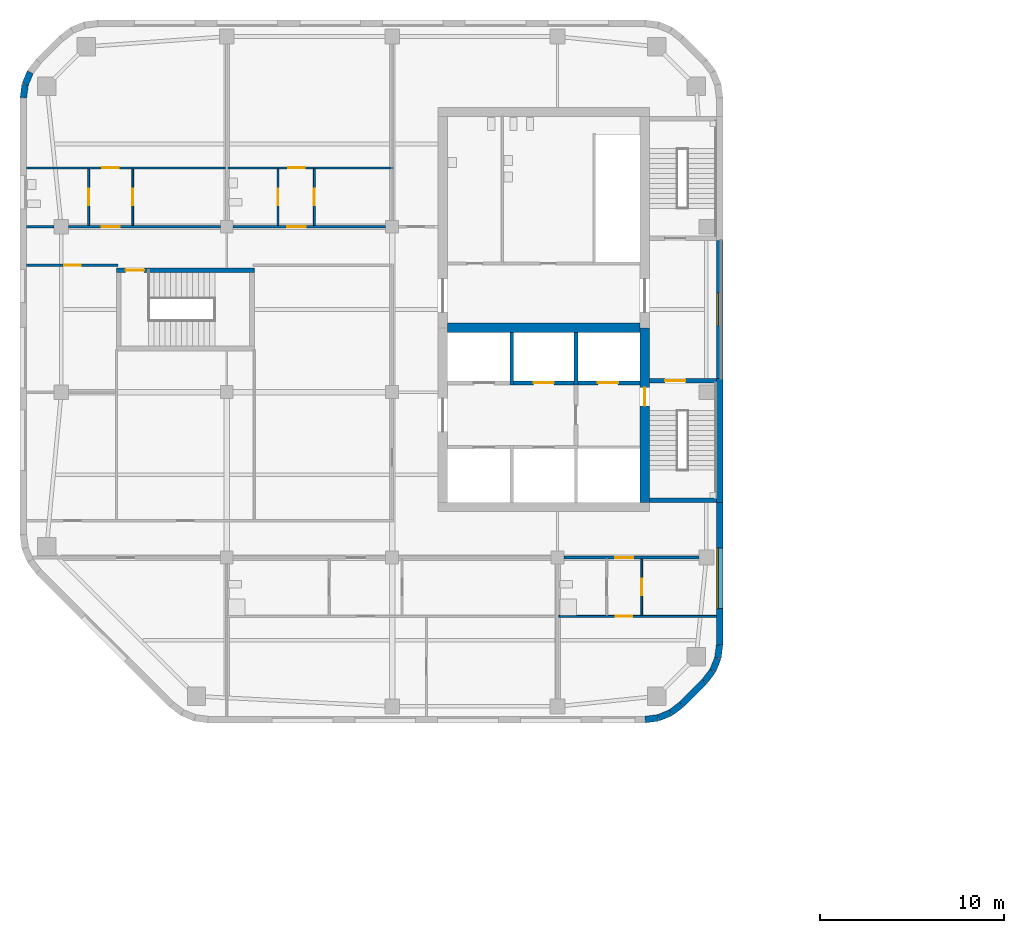
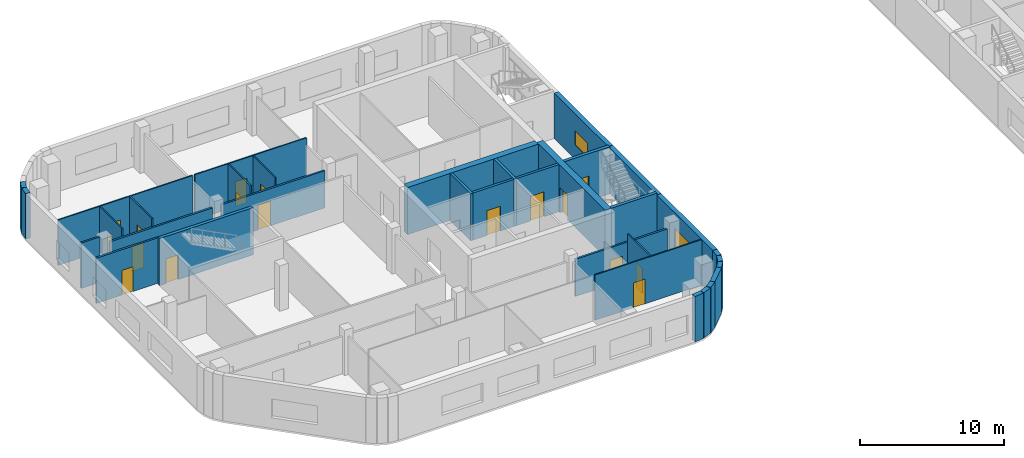
# One storey, part 6 of 15: 34 walls, 17 doors, 2 windows, 19 openings.
"""IFC4 building model written with IfcOpenShell, lengths in metres."""

from ifc_helpers import new_model, si_unit, direction, frame, frame_2d, origin, place, context, subcontext, project, spatial, rectangle, extrude, material, layer, layer_set, type_object, element, fill, save


model = new_model("IFC4")

# Units and contexts
model_context = context("Model", 3, precision=1e-05, world=origin(), true_north=direction((0.0, 1.0)))
body_context = subcontext(model_context, "Body", "Model", "MODEL_VIEW")
ifc_project = project(units=[si_unit("LENGTHUNIT", "METRE"), si_unit("AREAUNIT", "SQUARE_METRE"), si_unit("VOLUMEUNIT", "CUBIC_METRE"), si_unit("PLANEANGLEUNIT", "RADIAN"), si_unit("MASSUNIT", "GRAM", prefix="KILO")], contexts=[model_context])

# Site, building, storey
site_placement = place(None, origin())
site = spatial("IfcSite", under=ifc_project, at=site_placement, CompositionType="ELEMENT")
building_placement = place(site_placement, origin())
building = spatial("IfcBuilding", under=site, at=building_placement, Name="Cinnabar Reach Civic Tower", CompositionType="ELEMENT")
storey_placement = place(building_placement, frame((0.0, 0.0, 59.0)))
storey = spatial("IfcBuildingStorey", under=building, at=storey_placement, Name="L13", CompositionType="ELEMENT", Elevation=59.0)

# Walls
ifc_material_1 = material(Name="Facing brick with insulated backing", Category="masonry")
ifc_layer_1 = layer(ifc_material_1, 0.36)
ifc_layer_set_1 = layer_set([ifc_layer_1], Name="Brick corner wall")
wall_type_1 = type_object("IfcWallType", Name="Brick corner wall", PredefinedType="STANDARD", material=ifc_layer_set_1)
for number, where, z_axis, x_axis, name in (
    (1, (-31.2314, 9.183, 0.0), (0.0, 0.0, 1.0), (0.99144092581, 0.13055608231, 0.0), "Brick corner wall"),
    (2, (-30.5027, 9.2819, 0.0), (0.0, 0.0, 1.0), (0.923871547278, 0.382702709855, 0.0), "Brick corner wall"),
):
    element("IfcWall", number, at=place(storey_placement, frame(where, z_axis=z_axis, x_axis=x_axis)), inside=storey, type_object=wall_type_1, Name=name, PredefinedType="STANDARD", context=body_context, shape_type="SweptSolid", body=[
        extrude(rectangle(XDim=0.7131, YDim=0.36, at=frame_2d((0.3565, 0.0))), origin(), (0.0, 0.0, 1.0), 3.85),
    ])
for number, where, z_axis, x_axis, name in (
    (3, (-29.8245, 9.566, 0.0), (0.0, 0.0, 1.0), (0.793321924995, 0.608802368033, 0.0), "Brick corner wall"),
    (4, (-28.0002, 11.2587, 0.0), (0.0, 0.0, 1.0), (0.608802368033, 0.793321924995, 0.0), "Brick corner wall"),
):
    element("IfcWall", number, at=place(storey_placement, frame(where, z_axis=z_axis, x_axis=x_axis)), inside=storey, type_object=wall_type_1, Name=name, PredefinedType="STANDARD", context=body_context, shape_type="SweptSolid", body=[
        extrude(rectangle(XDim=0.7132, YDim=0.36, at=frame_2d((0.3566, 0.0))), origin(), (0.0, 0.0, 1.0), 3.85),
    ])
for number, where, z_axis, x_axis, name in (
    (5, (-27.5548, 11.8439, 0.0), (0.0, 0.0, 1.0), (0.382702709855, 0.923871547278, 0.0), "Brick corner wall"),
    (6, (-27.2761, 12.5244, 0.0), (0.0, 0.0, 1.0), (0.13055608231, 0.99144092581, 0.0), "Brick corner wall"),
    (7, (-64.6952, 44.4061, 0.0), (0.0, 0.0, 1.0), (-0.382702709855, -0.923871547278, 0.0), "Brick corner wall"),
    (8, (-64.9739, 43.7256, 0.0), (0.0, 0.0, 1.0), (-0.13055608231, -0.99144092581, 0.0), "Brick corner wall"),
):
    element("IfcWall", number, at=place(storey_placement, frame(where, z_axis=z_axis, x_axis=x_axis)), inside=storey, type_object=wall_type_1, Name=name, PredefinedType="STANDARD", context=body_context, shape_type="SweptSolid", body=[
        extrude(rectangle(XDim=0.7131, YDim=0.36, at=frame_2d((0.3565, 0.0))), origin(), (0.0, 0.0, 1.0), 3.85),
    ])
ifc_layer_2 = layer(ifc_material_1, 0.36)
ifc_layer_set_2 = layer_set([ifc_layer_2], Name="Brick pier and spandrel wall")
wall_type_2 = type_object("IfcWallType", Name="Brick pier and spandrel wall", PredefinedType="STANDARD", material=ifc_layer_set_2)
wall_1_placement = place(storey_placement, frame((-29.2486, 10.006, 0.0), z_axis=(0.0, 0.0, 1.0), x_axis=(0.707106781187, 0.707106781187, 0.0)))
element("IfcWall", 9, at=wall_1_placement, inside=storey, type_object=wall_type_2, Name="Brick facade wall", PredefinedType="STANDARD", context=body_context, shape_type="SweptSolid", body=[
    extrude(rectangle(XDim=1.7573, YDim=0.36, at=frame_2d((0.8787, 0.0))), origin(), (0.0, 0.0, 1.0), 3.85),
])

# Wall, opening, window
wall_2_placement = place(storey_placement, frame((-27.18, 13.2426, 0.0), z_axis=(0.0, 0.0, 1.0), x_axis=(0.0, 1.0, 0.0)))
wall_2 = element("IfcWall", 10, at=wall_2_placement, inside=storey, type_object=wall_type_2, Name="Brick facade wall", PredefinedType="STANDARD", context=body_context, shape_type="SweptSolid", body=[
    extrude(rectangle(XDim=7.7574, YDim=0.36, at=frame_2d((3.8787, 0.0))), origin(), (0.0, 0.0, 1.0), 3.85),
])
opening_1_placement = place(wall_2_placement, frame((1.9824, 0.0, 0.9)))
opening_1 = element("IfcOpeningElement", 11, at=opening_1_placement, cuts=wall_2, Name="Opening W2520", PredefinedType="OPENING", context=body_context, shape_type="SweptSolid", body=[
    extrude(rectangle(XDim=3.3, YDim=1.6, at=frame_2d((1.65, 0.8))), frame((0.0, 0.19, 0.0), z_axis=(0.0, -1.0, 0.0), x_axis=(1.0, 0.0, 0.0)), (0.0, 0.0, 1.0), 0.38),
])
ifc_material_2 = material(Name="Clear double glazing in aluminium frame", Category="aluminium")
window_type_1 = type_object("IfcWindowType", Name="Deep-set window A", PartitioningType="SINGLE_PANEL", PredefinedType="WINDOW", material=ifc_material_2)
window_1_placement = place(opening_1_placement, origin())
window_1 = element("IfcWindow", 12, at=window_1_placement, inside=storey, type_object=window_type_1, Name="Window east face", OverallHeight=1.6, OverallWidth=3.3, PartitioningType="SINGLE_PANEL", PredefinedType="WINDOW", context=body_context, shape_type="SweptSolid", body=[
    extrude(rectangle(XDim=3.3, YDim=1.6, at=frame_2d((1.65, 0.8))), frame((0.0, 0.13, 0.0), z_axis=(0.0, -1.0, 0.0), x_axis=(1.0, 0.0, 0.0)), (0.0, 0.0, 1.0), 0.06),
])
fill(opening_1, window_1)

# Wall
wall_3_placement = place(storey_placement, frame((-27.18, 21.0, 0.0), z_axis=(0.0, 0.0, 1.0), x_axis=(0.0, 1.0, 0.0)))
element("IfcWall", 13, at=wall_3_placement, inside=storey, type_object=wall_type_2, Name="Brick facade wall", PredefinedType="STANDARD", context=body_context, shape_type="SweptSolid", body=[
    extrude(rectangle(XDim=6.75, YDim=0.36, at=frame_2d((3.375, 0.0))), origin(), (0.0, 0.0, 1.0), 3.85),
])

# Wall, opening, window
wall_4_placement = place(storey_placement, frame((-27.18, 27.75, 0.0), z_axis=(0.0, 0.0, 1.0), x_axis=(0.0, 1.0, 0.0)))
wall_4 = element("IfcWall", 14, at=wall_4_placement, inside=storey, type_object=wall_type_2, Name="Brick facade wall", PredefinedType="STANDARD", context=body_context, shape_type="SweptSolid", body=[
    extrude(rectangle(XDim=7.5, YDim=0.36, at=frame_2d((3.75, 0.0))), origin(), (0.0, 0.0, 1.0), 3.85),
])
opening_2_placement = place(wall_4_placement, frame((2.85, 0.0, 1.2)))
opening_2 = element("IfcOpeningElement", 15, at=opening_2_placement, cuts=wall_4, Name="Opening W2521", PredefinedType="OPENING", context=body_context, shape_type="SweptSolid", body=[
    extrude(rectangle(XDim=1.8, YDim=1.2, at=frame_2d((0.9, 0.6))), frame((0.0, 0.19, 0.0), z_axis=(0.0, -1.0, 0.0), x_axis=(1.0, 0.0, 0.0)), (0.0, 0.0, 1.0), 0.38),
])
window_type_2 = type_object("IfcWindowType", Name="Deep-set window C", PartitioningType="SINGLE_PANEL", PredefinedType="WINDOW", material=ifc_material_2)
window_2_placement = place(opening_2_placement, origin())
window_2 = element("IfcWindow", 16, at=window_2_placement, inside=storey, type_object=window_type_2, Name="Window east face", OverallHeight=1.2, OverallWidth=1.8, PartitioningType="SINGLE_PANEL", PredefinedType="WINDOW", context=body_context, shape_type="SweptSolid", body=[
    extrude(rectangle(XDim=1.8, YDim=1.2, at=frame_2d((0.9, 0.6))), frame((0.0, 0.13, 0.0), z_axis=(0.0, -1.0, 0.0), x_axis=(1.0, 0.0, 0.0)), (0.0, 0.0, 1.0), 0.06),
])
fill(opening_2, window_2)

# Wall, opening, door
ifc_material_3 = material(Name="Concrete C60", Category="concrete")
ifc_layer_3 = layer(ifc_material_3, 0.5)
ifc_layer_set_3 = layer_set([ifc_layer_3], Name="Core wall 500 EI 180")
wall_type_3 = type_object("IfcWallType", Name="Core wall 500 EI 180", PredefinedType="SOLIDWALL", material=ifc_layer_set_3)
wall_5_placement = place(storey_placement, frame((-31.25, 21.0, 0.0), z_axis=(0.0, 0.0, 1.0), x_axis=(0.0, 1.0, 0.0)))
wall_5 = element("IfcWall", 17, at=wall_5_placement, inside=storey, type_object=wall_type_3, Name="Core wall T2 L13 E", PredefinedType="SOLIDWALL", context=body_context, shape_type="SweptSolid", body=[
    extrude(rectangle(XDim=9.5, YDim=0.5, at=frame_2d((4.75, 0.0))), origin(), (0.0, 0.0, 1.0), 4.0),
])
opening_3_placement = place(wall_5_placement, frame((5.25, 0.0, 0.0)))
opening_3 = element("IfcOpeningElement", 18, at=opening_3_placement, cuts=wall_5, Name="Opening D6490", PredefinedType="OPENING", context=body_context, shape_type="SweptSolid", body=[
    extrude(rectangle(XDim=1.0, YDim=2.1, at=frame_2d((0.5, 1.05))), frame((0.0, 0.26, 0.0), z_axis=(0.0, -1.0, 0.0), x_axis=(1.0, 0.0, 0.0)), (0.0, 0.0, 1.0), 0.52),
])
ifc_material_4 = material(Name="Steel fire door", Category="steel")
door_type_1 = type_object("IfcDoorType", Name="T2 Firefighting lobby door 1000", OperationType="SINGLE_SWING_LEFT", PredefinedType="DOOR", material=ifc_material_4)
door_1_placement = place(opening_3_placement, frame((1.0, 0.0, 0.0), z_axis=(0.0, 0.0, 1.0), x_axis=(-1.0, 0.0, 0.0)))
door_1 = element("IfcDoor", 19, at=door_1_placement, inside=storey, type_object=door_type_1, Name="T2 Firefighting lobby door D6490", OperationType="SINGLE_SWING_LEFT", OverallHeight=2.1, OverallWidth=1.0, PredefinedType="DOOR", context=body_context, shape_type="SweptSolid", body=[
    extrude(rectangle(XDim=1.0, YDim=2.1, at=frame_2d((0.5, 1.05))), frame((0.0, 0.025, 0.0), z_axis=(0.0, -1.0, 0.0), x_axis=(1.0, 0.0, 0.0)), (0.0, 0.0, 1.0), 0.05),
])
fill(opening_3, door_1)

# Wall
wall_6_placement = place(storey_placement, frame((-42.0, 30.5, 0.0), z_axis=(0.0, 0.0, 1.0), x_axis=(1.0, 0.0, 0.0)))
element("IfcWall", 20, at=wall_6_placement, inside=storey, type_object=wall_type_3, Name="Core spine wall T2 L13", PredefinedType="SOLIDWALL", context=body_context, shape_type="SweptSolid", body=[
    extrude(rectangle(XDim=10.5, YDim=0.5, at=frame_2d((5.25, 0.0))), origin(), (0.0, 0.0, 1.0), 4.0),
])

# Wall, opening, door
ifc_material_5 = material(Name="Gypsum board on steel studs, double layer", Category="steel")
ifc_layer_4 = layer(ifc_material_5, 0.15)
ifc_layer_set_4 = layer_set([ifc_layer_4], Name="Corridor wall 150 T2")
wall_type_4 = type_object("IfcWallType", Name="Corridor wall 150 T2", PredefinedType="PARTITIONING", material=ifc_layer_set_4)
wall_7_placement = place(storey_placement, frame((-35.65, 18.0, 0.0), z_axis=(0.0, 0.0, 1.0), x_axis=(1.0, 0.0, 0.0)))
wall_7 = element("IfcWall", 21, at=wall_7_placement, inside=storey, type_object=wall_type_4, Name="Corridor wall 1", PredefinedType="PARTITIONING", context=body_context, shape_type="SweptSolid", body=[
    extrude(rectangle(XDim=7.35, YDim=0.15, at=frame_2d((3.675, 0.0))), origin(), (0.0, 0.0, 1.0), 3.158),
])
opening_4_placement = place(wall_7_placement, frame((2.7784, 0.0, 0.0)))
opening_4 = element("IfcOpeningElement", 22, at=opening_4_placement, cuts=wall_7, Name="Opening D6508", PredefinedType="OPENING", context=body_context, shape_type="SweptSolid", body=[
    extrude(rectangle(XDim=1.0, YDim=2.1, at=frame_2d((0.5, 1.05))), frame((0.0, 0.085, 0.0), z_axis=(0.0, -1.0, 0.0), x_axis=(1.0, 0.0, 0.0)), (0.0, 0.0, 1.0), 0.17),
])
ifc_material_6 = material(Name="Timber door leaf in steel frame", Category="steel")
door_type_2 = type_object("IfcDoorType", Name="Tenancy entrance door 1000 x 2100 T2", OperationType="SINGLE_SWING_LEFT", PredefinedType="DOOR", material=ifc_material_6)
door_2_placement = place(opening_4_placement, frame((1.0, 0.0, 0.0), z_axis=(0.0, 0.0, 1.0), x_axis=(-1.0, 0.0, 0.0)))
door_2 = element("IfcDoor", 23, at=door_2_placement, inside=storey, type_object=door_type_2, Name="Door D6508", OperationType="SINGLE_SWING_RIGHT", OverallHeight=2.1, OverallWidth=1.0, PredefinedType="DOOR", context=body_context, shape_type="SweptSolid", body=[
    extrude(rectangle(XDim=1.0, YDim=2.1, at=frame_2d((0.5, 1.05))), frame((0.0, 0.025, 0.0), z_axis=(0.0, -1.0, 0.0), x_axis=(1.0, 0.0, 0.0)), (0.0, 0.0, 1.0), 0.05),
])
fill(opening_4, door_2)

wall_8_placement = place(storey_placement, frame((-53.65, 36.0, 0.0), z_axis=(0.0, 0.0, 1.0), x_axis=(1.0, 0.0, 0.0)))
wall_8 = element("IfcWall", 24, at=wall_8_placement, inside=storey, type_object=wall_type_4, Name="Corridor wall 6", PredefinedType="PARTITIONING", context=body_context, shape_type="SweptSolid", body=[
    extrude(rectangle(XDim=8.3, YDim=0.15, at=frame_2d((4.15, 0.0))), origin(), (0.0, 0.0, 1.0), 3.158),
])
opening_5_placement = place(wall_8_placement, frame((2.94, 0.0, 0.0)))
opening_5 = element("IfcOpeningElement", 25, at=opening_5_placement, cuts=wall_8, Name="Opening D6516", PredefinedType="OPENING", context=body_context, shape_type="SweptSolid", body=[
    extrude(rectangle(XDim=1.0, YDim=2.1, at=frame_2d((0.5, 1.05))), frame((0.0, 0.085, 0.0), z_axis=(0.0, -1.0, 0.0), x_axis=(1.0, 0.0, 0.0)), (0.0, 0.0, 1.0), 0.17),
])
door_3_placement = place(opening_5_placement, origin())
door_3 = element("IfcDoor", 26, at=door_3_placement, inside=storey, type_object=door_type_2, Name="Door D6516", OperationType="SINGLE_SWING_LEFT", OverallHeight=2.1, OverallWidth=1.0, PredefinedType="DOOR", context=body_context, shape_type="SweptSolid", body=[
    extrude(rectangle(XDim=1.0, YDim=2.1, at=frame_2d((0.5, 1.05))), frame((0.0, 0.025, 0.0), z_axis=(0.0, -1.0, 0.0), x_axis=(1.0, 0.0, 0.0)), (0.0, 0.0, 1.0), 0.05),
])
fill(opening_5, door_3)

wall_9_placement = place(storey_placement, frame((-62.6, 36.0, 0.0), z_axis=(0.0, 0.0, 1.0), x_axis=(1.0, 0.0, 0.0)))
wall_9 = element("IfcWall", 27, at=wall_9_placement, inside=storey, type_object=wall_type_4, Name="Corridor wall 7", PredefinedType="PARTITIONING", context=body_context, shape_type="SweptSolid", body=[
    extrude(rectangle(XDim=8.25, YDim=0.15, at=frame_2d((4.125, 0.0))), origin(), (0.0, 0.0, 1.0), 3.158),
])
opening_6_placement = place(wall_9_placement, frame((1.7859, 0.0, 0.0)))
opening_6 = element("IfcOpeningElement", 28, at=opening_6_placement, cuts=wall_9, Name="Opening D6512", PredefinedType="OPENING", context=body_context, shape_type="SweptSolid", body=[
    extrude(rectangle(XDim=1.0, YDim=2.1, at=frame_2d((0.5, 1.05))), frame((0.0, 0.085, 0.0), z_axis=(0.0, -1.0, 0.0), x_axis=(1.0, 0.0, 0.0)), (0.0, 0.0, 1.0), 0.17),
])
door_4_placement = place(opening_6_placement, origin())
door_4 = element("IfcDoor", 29, at=door_4_placement, inside=storey, type_object=door_type_2, Name="Door D6512", OperationType="SINGLE_SWING_RIGHT", OverallHeight=2.1, OverallWidth=1.0, PredefinedType="DOOR", context=body_context, shape_type="SweptSolid", body=[
    extrude(rectangle(XDim=1.0, YDim=2.1, at=frame_2d((0.5, 1.05))), frame((0.0, 0.025, 0.0), z_axis=(0.0, -1.0, 0.0), x_axis=(1.0, 0.0, 0.0)), (0.0, 0.0, 1.0), 0.05),
])
fill(opening_6, door_4)

# Wall
wall_10_placement = place(storey_placement, frame((-64.89, 36.0, 0.0), z_axis=(0.0, 0.0, 1.0), x_axis=(1.0, 0.0, 0.0)))
element("IfcWall", 30, at=wall_10_placement, inside=storey, type_object=wall_type_4, Name="Corridor wall 8", PredefinedType="PARTITIONING", context=body_context, shape_type="SweptSolid", body=[
    extrude(rectangle(XDim=1.49, YDim=0.15, at=frame_2d((0.745, 0.0))), origin(), (0.0, 0.0, 1.0), 3.85),
])

# Wall, opening, door
wall_11_placement = place(storey_placement, frame((-64.89, 33.9, 0.0), z_axis=(0.0, 0.0, 1.0), x_axis=(1.0, 0.0, 0.0)))
wall_11 = element("IfcWall", 31, at=wall_11_placement, inside=storey, type_object=wall_type_4, Name="Corridor wall 13", PredefinedType="PARTITIONING", context=body_context, shape_type="SweptSolid", body=[
    extrude(rectangle(XDim=4.965, YDim=0.15, at=frame_2d((2.4825, 0.0))), origin(), (0.0, 0.0, 1.0), 3.85),
])
opening_7_placement = place(wall_11_placement, frame((2.05, 0.0, 0.0)))
opening_7 = element("IfcOpeningElement", 32, at=opening_7_placement, cuts=wall_11, Name="Opening D6518", PredefinedType="OPENING", context=body_context, shape_type="SweptSolid", body=[
    extrude(rectangle(XDim=0.9, YDim=2.1, at=frame_2d((0.45, 1.05))), frame((0.0, 0.085, 0.0), z_axis=(0.0, -1.0, 0.0), x_axis=(1.0, 0.0, 0.0)), (0.0, 0.0, 1.0), 0.17),
])
door_type_3 = type_object("IfcDoorType", Name="Single swing door 900 x 2100 T2", OperationType="SINGLE_SWING_LEFT", PredefinedType="DOOR", material=ifc_material_6)
door_5_placement = place(opening_7_placement, frame((0.9, 0.0, 0.0), z_axis=(0.0, 0.0, 1.0), x_axis=(-1.0, 0.0, 0.0)))
door_5 = element("IfcDoor", 33, at=door_5_placement, inside=storey, type_object=door_type_3, Name="Door D6518", OperationType="SINGLE_SWING_RIGHT", OverallHeight=2.1, OverallWidth=0.9, PredefinedType="DOOR", context=body_context, shape_type="SweptSolid", body=[
    extrude(rectangle(XDim=0.9, YDim=2.1, at=frame_2d((0.45, 1.05))), frame((0.0, 0.025, 0.0), z_axis=(0.0, -1.0, 0.0), x_axis=(1.0, 0.0, 0.0)), (0.0, 0.0, 1.0), 0.05),
])
fill(opening_7, door_5)

ifc_material_7 = material(Name="Gypsum board on steel studs", Category="steel")
ifc_layer_5 = layer(ifc_material_7, 0.1)
ifc_layer_set_5 = layer_set([ifc_layer_5], Name="Partition wall 100 T2")
wall_type_5 = type_object("IfcWallType", Name="Partition wall 100 T2", PredefinedType="PARTITIONING", material=ifc_layer_set_5)
wall_12_placement = place(storey_placement, frame((-35.925, 14.8, 0.0), z_axis=(0.0, 0.0, 1.0), x_axis=(1.0, 0.0, 0.0)))
wall_12 = element("IfcWall", 34, at=wall_12_placement, inside=storey, type_object=wall_type_5, Name="Partition wall 17", PredefinedType="PARTITIONING", context=body_context, shape_type="SweptSolid", body=[
    extrude(rectangle(XDim=8.565, YDim=0.1, at=frame_2d((4.2825, 0.0))), origin(), (0.0, 0.0, 1.0), 3.85),
])
opening_8_placement = place(wall_12_placement, frame((3.1034, 0.0, 0.0)))
opening_8 = element("IfcOpeningElement", 35, at=opening_8_placement, cuts=wall_12, Name="Opening D6507", PredefinedType="OPENING", context=body_context, shape_type="SweptSolid", body=[
    extrude(rectangle(XDim=0.9, YDim=2.1, at=frame_2d((0.45, 1.05))), frame((0.0, 0.06, 0.0), z_axis=(0.0, -1.0, 0.0), x_axis=(1.0, 0.0, 0.0)), (0.0, 0.0, 1.0), 0.12),
])
door_6_placement = place(opening_8_placement, origin())
door_6 = element("IfcDoor", 36, at=door_6_placement, inside=storey, type_object=door_type_3, Name="Door D6507", OperationType="SINGLE_SWING_LEFT", OverallHeight=2.1, OverallWidth=0.9, PredefinedType="DOOR", context=body_context, shape_type="SweptSolid", body=[
    extrude(rectangle(XDim=0.9, YDim=2.1, at=frame_2d((0.45, 1.05))), frame((0.0, 0.025, 0.0), z_axis=(0.0, -1.0, 0.0), x_axis=(1.0, 0.0, 0.0)), (0.0, 0.0, 1.0), 0.05),
])
fill(opening_8, door_6)

wall_13_placement = place(storey_placement, frame((-53.925, 39.2, 0.0), z_axis=(0.0, 0.0, 1.0), x_axis=(1.0, 0.0, 0.0)))
wall_13 = element("IfcWall", 37, at=wall_13_placement, inside=storey, type_object=wall_type_5, Name="Partition wall 18", PredefinedType="PARTITIONING", context=body_context, shape_type="SweptSolid", body=[
    extrude(rectangle(XDim=8.975, YDim=0.1, at=frame_2d((4.4875, 0.0))), origin(), (0.0, 0.0, 1.0), 3.85),
])
opening_9_placement = place(wall_13_placement, frame((3.265, 0.0, 0.0)))
opening_9 = element("IfcOpeningElement", 38, at=opening_9_placement, cuts=wall_13, Name="Opening D6515", PredefinedType="OPENING", context=body_context, shape_type="SweptSolid", body=[
    extrude(rectangle(XDim=0.9, YDim=2.1, at=frame_2d((0.45, 1.05))), frame((0.0, 0.06, 0.0), z_axis=(0.0, -1.0, 0.0), x_axis=(1.0, 0.0, 0.0)), (0.0, 0.0, 1.0), 0.12),
])
door_7_placement = place(opening_9_placement, frame((0.9, 0.0, 0.0), z_axis=(0.0, 0.0, 1.0), x_axis=(-1.0, 0.0, 0.0)))
door_7 = element("IfcDoor", 39, at=door_7_placement, inside=storey, type_object=door_type_3, Name="Door D6515", OperationType="SINGLE_SWING_LEFT", OverallHeight=2.1, OverallWidth=0.9, PredefinedType="DOOR", context=body_context, shape_type="SweptSolid", body=[
    extrude(rectangle(XDim=0.9, YDim=2.1, at=frame_2d((0.45, 1.05))), frame((0.0, 0.025, 0.0), z_axis=(0.0, -1.0, 0.0), x_axis=(1.0, 0.0, 0.0)), (0.0, 0.0, 1.0), 0.05),
])
fill(opening_9, door_7)

wall_14_placement = place(storey_placement, frame((-64.89, 39.2, 0.0), z_axis=(0.0, 0.0, 1.0), x_axis=(1.0, 0.0, 0.0)))
wall_14 = element("IfcWall", 40, at=wall_14_placement, inside=storey, type_object=wall_type_5, Name="Partition wall 19", PredefinedType="PARTITIONING", context=body_context, shape_type="SweptSolid", body=[
    extrude(rectangle(XDim=10.815, YDim=0.1, at=frame_2d((5.4075, 0.0))), origin(), (0.0, 0.0, 1.0), 3.85),
])
opening_10_placement = place(wall_14_placement, frame((4.1259, 0.0, 0.0)))
opening_10 = element("IfcOpeningElement", 41, at=opening_10_placement, cuts=wall_14, Name="Opening D6511", PredefinedType="OPENING", context=body_context, shape_type="SweptSolid", body=[
    extrude(rectangle(XDim=0.9, YDim=2.1, at=frame_2d((0.45, 1.05))), frame((0.0, 0.06, 0.0), z_axis=(0.0, -1.0, 0.0), x_axis=(1.0, 0.0, 0.0)), (0.0, 0.0, 1.0), 0.12),
])
door_8_placement = place(opening_10_placement, frame((0.9, 0.0, 0.0), z_axis=(0.0, 0.0, 1.0), x_axis=(-1.0, 0.0, 0.0)))
door_8 = element("IfcDoor", 42, at=door_8_placement, inside=storey, type_object=door_type_3, Name="Door D6511", OperationType="SINGLE_SWING_LEFT", OverallHeight=2.1, OverallWidth=0.9, PredefinedType="DOOR", context=body_context, shape_type="SweptSolid", body=[
    extrude(rectangle(XDim=0.9, YDim=2.1, at=frame_2d((0.45, 1.05))), frame((0.0, 0.025, 0.0), z_axis=(0.0, -1.0, 0.0), x_axis=(1.0, 0.0, 0.0)), (0.0, 0.0, 1.0), 0.05),
])
fill(opening_10, door_8)

wall_15_placement = place(storey_placement, frame((-61.5141, 36.075, 0.0), z_axis=(0.0, 0.0, 1.0), x_axis=(0.0, 1.0, 0.0)))
wall_15 = element("IfcWall", 43, at=wall_15_placement, inside=storey, type_object=wall_type_5, Name="Partition wall 29", PredefinedType="PARTITIONING", context=body_context, shape_type="SweptSolid", body=[
    extrude(rectangle(XDim=3.075, YDim=0.1, at=frame_2d((1.5375, 0.0))), origin(), (0.0, 0.0, 1.0), 3.85),
])
opening_11_placement = place(wall_15_placement, frame((1.1, 0.0, 0.0)))
opening_11 = element("IfcOpeningElement", 44, at=opening_11_placement, cuts=wall_15, Name="Opening D6509", PredefinedType="OPENING", context=body_context, shape_type="SweptSolid", body=[
    extrude(rectangle(XDim=0.9, YDim=2.1, at=frame_2d((0.45, 1.05))), frame((0.0, 0.06, 0.0), z_axis=(0.0, -1.0, 0.0), x_axis=(1.0, 0.0, 0.0)), (0.0, 0.0, 1.0), 0.12),
])
door_9_placement = place(opening_11_placement, origin())
door_9 = element("IfcDoor", 45, at=door_9_placement, inside=storey, type_object=door_type_3, Name="Door D6509", OperationType="SINGLE_SWING_LEFT", OverallHeight=2.1, OverallWidth=0.9, PredefinedType="DOOR", context=body_context, shape_type="SweptSolid", body=[
    extrude(rectangle(XDim=0.9, YDim=2.1, at=frame_2d((0.45, 1.05))), frame((0.0, 0.025, 0.0), z_axis=(0.0, -1.0, 0.0), x_axis=(1.0, 0.0, 0.0)), (0.0, 0.0, 1.0), 0.05),
])
fill(opening_11, door_9)

wall_16_placement = place(storey_placement, frame((-59.1183, 36.075, 0.0), z_axis=(0.0, 0.0, 1.0), x_axis=(0.0, 1.0, 0.0)))
wall_16 = element("IfcWall", 46, at=wall_16_placement, inside=storey, type_object=wall_type_5, Name="Partition wall 30", PredefinedType="PARTITIONING", context=body_context, shape_type="SweptSolid", body=[
    extrude(rectangle(XDim=3.075, YDim=0.1, at=frame_2d((1.5375, 0.0))), origin(), (0.0, 0.0, 1.0), 3.85),
])
opening_12_placement = place(wall_16_placement, frame((1.1, 0.0, 0.0)))
opening_12 = element("IfcOpeningElement", 47, at=opening_12_placement, cuts=wall_16, Name="Opening D6510", PredefinedType="OPENING", context=body_context, shape_type="SweptSolid", body=[
    extrude(rectangle(XDim=0.9, YDim=2.1, at=frame_2d((0.45, 1.05))), frame((0.0, 0.06, 0.0), z_axis=(0.0, -1.0, 0.0), x_axis=(1.0, 0.0, 0.0)), (0.0, 0.0, 1.0), 0.12),
])
door_10_placement = place(opening_12_placement, origin())
door_10 = element("IfcDoor", 48, at=door_10_placement, inside=storey, type_object=door_type_3, Name="Door D6510", OperationType="SINGLE_SWING_LEFT", OverallHeight=2.1, OverallWidth=0.9, PredefinedType="DOOR", context=body_context, shape_type="SweptSolid", body=[
    extrude(rectangle(XDim=0.9, YDim=2.1, at=frame_2d((0.45, 1.05))), frame((0.0, 0.025, 0.0), z_axis=(0.0, -1.0, 0.0), x_axis=(1.0, 0.0, 0.0)), (0.0, 0.0, 1.0), 0.05),
])
fill(opening_12, door_10)

wall_17_placement = place(storey_placement, frame((-51.21, 36.075, 0.0), z_axis=(0.0, 0.0, 1.0), x_axis=(0.0, 1.0, 0.0)))
wall_17 = element("IfcWall", 49, at=wall_17_placement, inside=storey, type_object=wall_type_5, Name="Partition wall 31", PredefinedType="PARTITIONING", context=body_context, shape_type="SweptSolid", body=[
    extrude(rectangle(XDim=3.075, YDim=0.1, at=frame_2d((1.5375, 0.0))), origin(), (0.0, 0.0, 1.0), 3.85),
])
opening_13_placement = place(wall_17_placement, frame((1.1, 0.0, 0.0)))
opening_13 = element("IfcOpeningElement", 50, at=opening_13_placement, cuts=wall_17, Name="Opening D6513", PredefinedType="OPENING", context=body_context, shape_type="SweptSolid", body=[
    extrude(rectangle(XDim=0.9, YDim=2.1, at=frame_2d((0.45, 1.05))), frame((0.0, 0.06, 0.0), z_axis=(0.0, -1.0, 0.0), x_axis=(1.0, 0.0, 0.0)), (0.0, 0.0, 1.0), 0.12),
])
door_11_placement = place(opening_13_placement, origin())
door_11 = element("IfcDoor", 51, at=door_11_placement, inside=storey, type_object=door_type_3, Name="Door D6513", OperationType="SINGLE_SWING_LEFT", OverallHeight=2.1, OverallWidth=0.9, PredefinedType="DOOR", context=body_context, shape_type="SweptSolid", body=[
    extrude(rectangle(XDim=0.9, YDim=2.1, at=frame_2d((0.45, 1.05))), frame((0.0, 0.025, 0.0), z_axis=(0.0, -1.0, 0.0), x_axis=(1.0, 0.0, 0.0)), (0.0, 0.0, 1.0), 0.05),
])
fill(opening_13, door_11)

wall_18_placement = place(storey_placement, frame((-49.23, 36.075, 0.0), z_axis=(0.0, 0.0, 1.0), x_axis=(0.0, 1.0, 0.0)))
wall_18 = element("IfcWall", 52, at=wall_18_placement, inside=storey, type_object=wall_type_5, Name="Partition wall 32", PredefinedType="PARTITIONING", context=body_context, shape_type="SweptSolid", body=[
    extrude(rectangle(XDim=3.075, YDim=0.1, at=frame_2d((1.5375, 0.0))), origin(), (0.0, 0.0, 1.0), 3.85),
])
opening_14_placement = place(wall_18_placement, frame((1.1, 0.0, 0.0)))
opening_14 = element("IfcOpeningElement", 53, at=opening_14_placement, cuts=wall_18, Name="Opening D6514", PredefinedType="OPENING", context=body_context, shape_type="SweptSolid", body=[
    extrude(rectangle(XDim=0.9, YDim=2.1, at=frame_2d((0.45, 1.05))), frame((0.0, 0.06, 0.0), z_axis=(0.0, -1.0, 0.0), x_axis=(1.0, 0.0, 0.0)), (0.0, 0.0, 1.0), 0.12),
])
door_12_placement = place(opening_14_placement, origin())
door_12 = element("IfcDoor", 54, at=door_12_placement, inside=storey, type_object=door_type_3, Name="Door D6514", OperationType="SINGLE_SWING_LEFT", OverallHeight=2.1, OverallWidth=0.9, PredefinedType="DOOR", context=body_context, shape_type="SweptSolid", body=[
    extrude(rectangle(XDim=0.9, YDim=2.1, at=frame_2d((0.45, 1.05))), frame((0.0, 0.025, 0.0), z_axis=(0.0, -1.0, 0.0), x_axis=(1.0, 0.0, 0.0)), (0.0, 0.0, 1.0), 0.05),
])
fill(opening_14, door_12)

wall_19_placement = place(storey_placement, frame((-31.4208, 14.85, 0.0), z_axis=(0.0, 0.0, 1.0), x_axis=(0.0, 1.0, 0.0)))
wall_19 = element("IfcWall", 55, at=wall_19_placement, inside=storey, type_object=wall_type_5, Name="Partition wall 36", PredefinedType="PARTITIONING", context=body_context, shape_type="SweptSolid", body=[
    extrude(rectangle(XDim=3.075, YDim=0.1, at=frame_2d((1.5375, 0.0))), origin(), (0.0, 0.0, 1.0), 3.85),
])
opening_15_placement = place(wall_19_placement, frame((1.1, 0.0, 0.0)))
opening_15 = element("IfcOpeningElement", 56, at=opening_15_placement, cuts=wall_19, Name="Opening D6506", PredefinedType="OPENING", context=body_context, shape_type="SweptSolid", body=[
    extrude(rectangle(XDim=0.9, YDim=2.1, at=frame_2d((0.45, 1.05))), frame((0.0, 0.06, 0.0), z_axis=(0.0, -1.0, 0.0), x_axis=(1.0, 0.0, 0.0)), (0.0, 0.0, 1.0), 0.12),
])
door_13_placement = place(opening_15_placement, origin())
door_13 = element("IfcDoor", 57, at=door_13_placement, inside=storey, type_object=door_type_3, Name="Door D6506", OperationType="SINGLE_SWING_RIGHT", OverallHeight=2.1, OverallWidth=0.9, PredefinedType="DOOR", context=body_context, shape_type="SweptSolid", body=[
    extrude(rectangle(XDim=0.9, YDim=2.1, at=frame_2d((0.45, 1.05))), frame((0.0, 0.025, 0.0), z_axis=(0.0, -1.0, 0.0), x_axis=(1.0, 0.0, 0.0)), (0.0, 0.0, 1.0), 0.05),
])
fill(opening_15, door_13)

# Wall
ifc_layer_6 = layer(ifc_material_3, 0.25)
ifc_layer_set_6 = layer_set([ifc_layer_6], Name="Stair shaft wall 250 EI 120")
wall_type_6 = type_object("IfcWallType", Name="Stair shaft wall 250 EI 120", PredefinedType="SOLIDWALL", material=ifc_layer_set_6)
wall_20_placement = place(storey_placement, frame((-31.0, 21.125, 0.0), z_axis=(0.0, 0.0, 1.0), x_axis=(1.0, 0.0, 0.0)))
element("IfcWall", 58, at=wall_20_placement, inside=storey, type_object=wall_type_6, Name="Stair shaft wall T2-S1 L13", PredefinedType="SOLIDWALL", context=body_context, shape_type="SweptSolid", body=[
    extrude(rectangle(XDim=3.64, YDim=0.25, at=frame_2d((1.82, 0.0))), origin(), (0.0, 0.0, 1.0), 4.0),
])

# Wall, opening, door
wall_21_placement = place(storey_placement, frame((-27.36, 27.625, 0.0), z_axis=(0.0, 0.0, 1.0), x_axis=(-1.0, 0.0, 0.0)))
wall_21 = element("IfcWall", 59, at=wall_21_placement, inside=storey, type_object=wall_type_6, Name="Stair shaft wall T2-S1 L13", PredefinedType="SOLIDWALL", context=body_context, shape_type="SweptSolid", body=[
    extrude(rectangle(XDim=3.64, YDim=0.25, at=frame_2d((1.82, 0.0))), origin(), (0.0, 0.0, 1.0), 4.0),
])
opening_16_placement = place(wall_21_placement, frame((1.69, 0.0, 0.0)))
opening_16 = element("IfcOpeningElement", 60, at=opening_16_placement, cuts=wall_21, Name="Opening D6491", PredefinedType="OPENING", context=body_context, shape_type="SweptSolid", body=[
    extrude(rectangle(XDim=1.1, YDim=2.1, at=frame_2d((0.55, 1.05))), frame((0.0, 0.135, 0.0), z_axis=(0.0, -1.0, 0.0), x_axis=(1.0, 0.0, 0.0)), (0.0, 0.0, 1.0), 0.27),
])
door_type_4 = type_object("IfcDoorType", Name="T2 Stair door 1100", OperationType="SINGLE_SWING_LEFT", PredefinedType="DOOR", material=ifc_material_4)
door_14_placement = place(opening_16_placement, origin())
door_14 = element("IfcDoor", 61, at=door_14_placement, inside=storey, type_object=door_type_4, Name="T2 Stair door D6491", OperationType="SINGLE_SWING_LEFT", OverallHeight=2.1, OverallWidth=1.1, PredefinedType="DOOR", context=body_context, shape_type="SweptSolid", body=[
    extrude(rectangle(XDim=1.1, YDim=2.1, at=frame_2d((0.55, 1.05))), frame((0.0, 0.025, 0.0), z_axis=(0.0, -1.0, 0.0), x_axis=(1.0, 0.0, 0.0)), (0.0, 0.0, 1.0), 0.05),
])
fill(opening_16, door_14)

wall_22_placement = place(storey_placement, frame((-52.5, 33.625, 0.0), z_axis=(0.0, 0.0, 1.0), x_axis=(-1.0, 0.0, 0.0)))
wall_22 = element("IfcWall", 62, at=wall_22_placement, inside=storey, type_object=wall_type_6, Name="Stair shaft wall T2-S3 L13", PredefinedType="SOLIDWALL", context=body_context, shape_type="SweptSolid", body=[
    extrude(rectangle(XDim=7.5, YDim=0.25, at=frame_2d((3.75, 0.0))), origin(), (0.0, 0.0, 1.0), 4.0),
])
opening_17_placement = place(wall_22_placement, frame((6.0, 0.0, 0.0)))
opening_17 = element("IfcOpeningElement", 63, at=opening_17_placement, cuts=wall_22, Name="Opening D6521", PredefinedType="OPENING", context=body_context, shape_type="SweptSolid", body=[
    extrude(rectangle(XDim=1.0, YDim=2.1, at=frame_2d((0.5, 1.05))), frame((0.0, 0.135, 0.0), z_axis=(0.0, -1.0, 0.0), x_axis=(1.0, 0.0, 0.0)), (0.0, 0.0, 1.0), 0.27),
])
door_type_5 = type_object("IfcDoorType", Name="Stair door 1000 x 2100 T2", OperationType="SINGLE_SWING_LEFT", PredefinedType="DOOR", material=ifc_material_6)
door_15_placement = place(opening_17_placement, origin())
door_15 = element("IfcDoor", 64, at=door_15_placement, inside=storey, type_object=door_type_5, Name="Door D6521", OperationType="SINGLE_SWING_RIGHT", OverallHeight=2.1, OverallWidth=1.0, PredefinedType="DOOR", context=body_context, shape_type="SweptSolid", body=[
    extrude(rectangle(XDim=1.0, YDim=2.1, at=frame_2d((0.5, 1.05))), frame((0.0, 0.025, 0.0), z_axis=(0.0, -1.0, 0.0), x_axis=(1.0, 0.0, 0.0)), (0.0, 0.0, 1.0), 0.05),
])
fill(opening_17, door_15)

# Walls
ifc_material_8 = material(Name="Concrete C40", Category="concrete")
ifc_layer_7 = layer(ifc_material_8, 0.2)
ifc_layer_set_7 = layer_set([ifc_layer_7], Name="T2 Shaft wall 200")
wall_type_7 = type_object("IfcWallType", Name="T2 Shaft wall 200", PredefinedType="SOLIDWALL", material=ifc_layer_set_7)
for number, where, z_axis, x_axis, name in (
    (65, (-38.5, 27.4, 0.0), (0.0, 0.0, 1.0), (0.0, 1.0, 0.0), "T2 Shaft wall L13 004"),
    (66, (-35.0, 27.4, 0.0), (0.0, 0.0, 1.0), (0.0, 1.0, 0.0), "T2 Shaft wall L13 006"),
):
    element("IfcWall", number, at=place(storey_placement, frame(where, z_axis=z_axis, x_axis=x_axis)), inside=storey, type_object=wall_type_7, Name=name, PredefinedType="SOLIDWALL", context=body_context, shape_type="SweptSolid", body=[
        extrude(rectangle(XDim=2.85, YDim=0.2, at=frame_2d((1.425, 0.0))), origin(), (0.0, 0.0, 1.0), 4.0),
    ])

# Wall, opening, door
wall_23_placement = place(storey_placement, frame((-38.4, 27.5, 0.0), z_axis=(0.0, 0.0, 1.0), x_axis=(1.0, 0.0, 0.0)))
wall_23 = element("IfcWall", 67, at=wall_23_placement, inside=storey, type_object=wall_type_7, Name="T2 Shaft wall L13 007", PredefinedType="SOLIDWALL", context=body_context, shape_type="SweptSolid", body=[
    extrude(rectangle(XDim=3.3, YDim=0.2, at=frame_2d((1.65, 0.0))), origin(), (0.0, 0.0, 1.0), 4.0),
])
opening_18_placement = place(wall_23_placement, frame((1.1, 0.0, 0.0)))
opening_18 = element("IfcOpeningElement", 68, at=opening_18_placement, cuts=wall_23, Name="Opening D6487", PredefinedType="OPENING", context=body_context, shape_type="SweptSolid", body=[
    extrude(rectangle(XDim=1.1, YDim=2.1, at=frame_2d((0.55, 1.05))), frame((0.0, 0.11, 0.0), z_axis=(0.0, -1.0, 0.0), x_axis=(1.0, 0.0, 0.0)), (0.0, 0.0, 1.0), 0.22),
])
door_type_6 = type_object("IfcDoorType", Name="T2 Lift landing door 1100", OperationType="SLIDING_TO_LEFT", PredefinedType="DOOR", material=ifc_material_4)
door_16_placement = place(opening_18_placement, origin())
door_16 = element("IfcDoor", 69, at=door_16_placement, inside=storey, type_object=door_type_6, Name="T2 Lift landing door D6487", OperationType="SLIDING_TO_LEFT", OverallHeight=2.1, OverallWidth=1.1, PredefinedType="DOOR", context=body_context, shape_type="SweptSolid", body=[
    extrude(rectangle(XDim=1.1, YDim=2.1, at=frame_2d((0.55, 1.05))), frame((0.0, 0.025, 0.0), z_axis=(0.0, -1.0, 0.0), x_axis=(1.0, 0.0, 0.0)), (0.0, 0.0, 1.0), 0.05),
])
fill(opening_18, door_16)

wall_24_placement = place(storey_placement, frame((-34.9, 27.5, 0.0), z_axis=(0.0, 0.0, 1.0), x_axis=(1.0, 0.0, 0.0)))
wall_24 = element("IfcWall", 70, at=wall_24_placement, inside=storey, type_object=wall_type_7, Name="T2 Shaft wall L13 008", PredefinedType="SOLIDWALL", context=body_context, shape_type="SweptSolid", body=[
    extrude(rectangle(XDim=3.4, YDim=0.2, at=frame_2d((1.7, 0.0))), origin(), (0.0, 0.0, 1.0), 4.0),
])
opening_19_placement = place(wall_24_placement, frame((1.1, 0.0, 0.0)))
opening_19 = element("IfcOpeningElement", 71, at=opening_19_placement, cuts=wall_24, Name="Opening D6488", PredefinedType="OPENING", context=body_context, shape_type="SweptSolid", body=[
    extrude(rectangle(XDim=1.1, YDim=2.1, at=frame_2d((0.55, 1.05))), frame((0.0, 0.11, 0.0), z_axis=(0.0, -1.0, 0.0), x_axis=(1.0, 0.0, 0.0)), (0.0, 0.0, 1.0), 0.22),
])
door_type_7 = type_object("IfcDoorType", Name="T2 Firefighting lift landing door 1100", OperationType="SLIDING_TO_LEFT", PredefinedType="DOOR", material=ifc_material_4)
door_17_placement = place(opening_19_placement, origin())
door_17 = element("IfcDoor", 72, at=door_17_placement, inside=storey, type_object=door_type_7, Name="T2 Firefighting lift landing door D6488", OperationType="SLIDING_TO_LEFT", OverallHeight=2.1, OverallWidth=1.1, PredefinedType="DOOR", context=body_context, shape_type="SweptSolid", body=[
    extrude(rectangle(XDim=1.1, YDim=2.1, at=frame_2d((0.55, 1.05))), frame((0.0, 0.025, 0.0), z_axis=(0.0, -1.0, 0.0), x_axis=(1.0, 0.0, 0.0)), (0.0, 0.0, 1.0), 0.05),
])
fill(opening_19, door_17)

save(model, "model.ifc")
